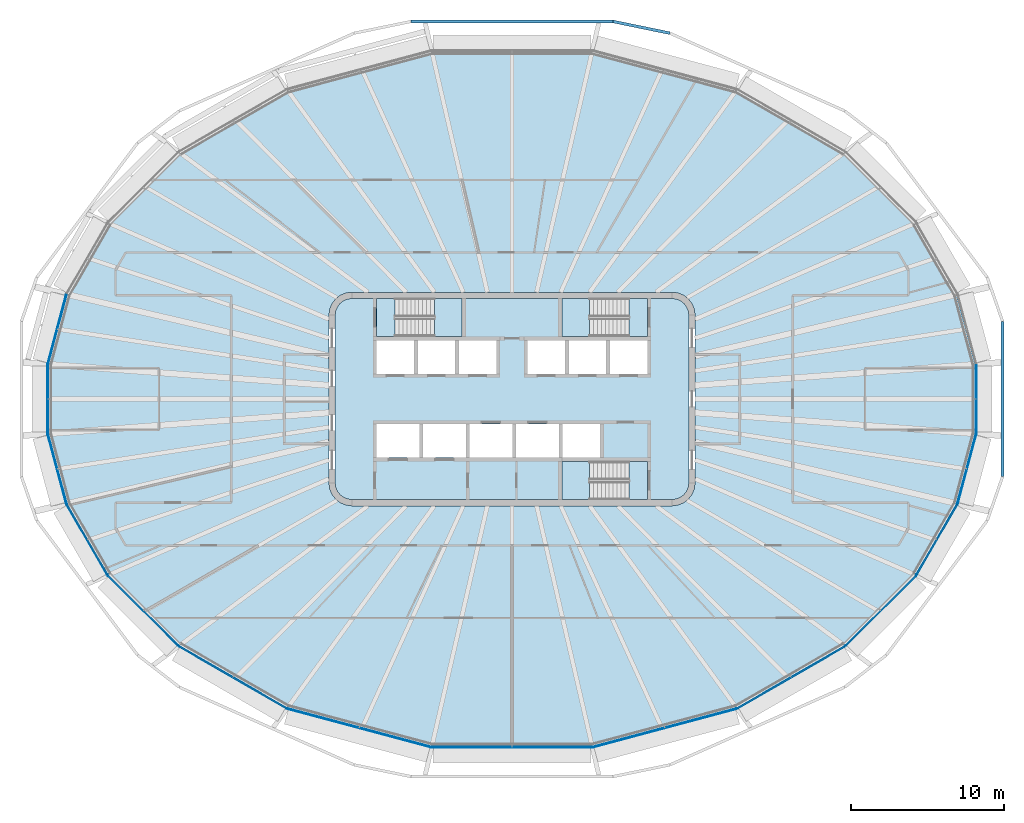
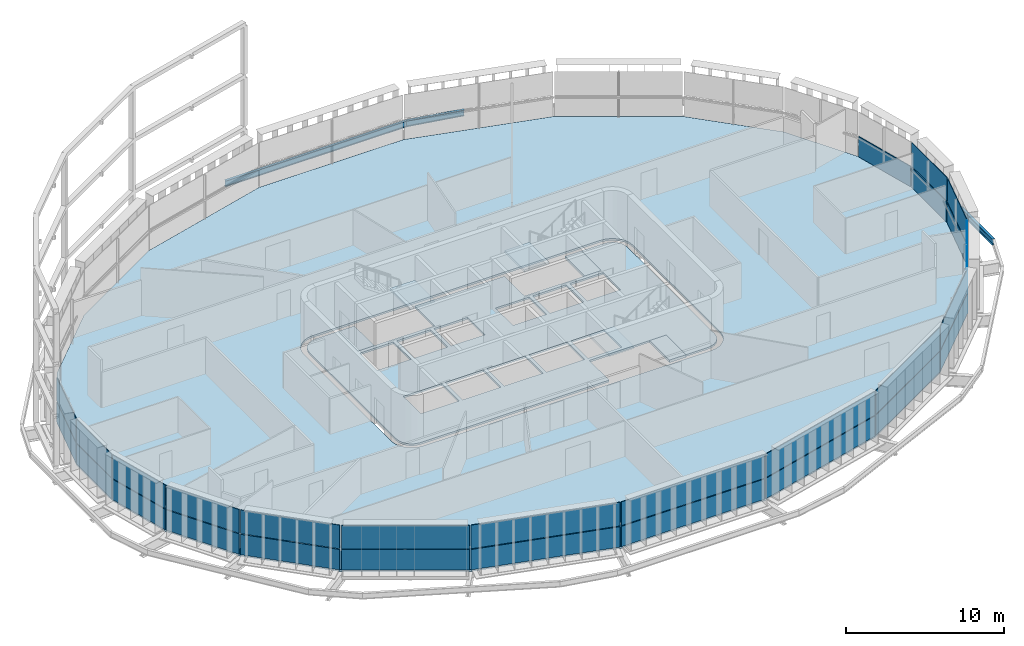
# One storey, part 8 of 20: 29 plates, 8 slabs, 3 beams, 18 elements without a shape of their own.
"""IFC4 building model written with IfcOpenShell, lengths in metres."""

from ifc_helpers import new_model, si_unit, direction, frame, origin, origin_2d, place, context, subcontext, project, spatial, polyline, i_section, outline, extrude, material, layer, layer_set, material_profile, profile_set, type_object, element, aggregate, save


model = new_model("IFC4")

# Units and contexts
model_context = context("Model", 3, precision=1e-05, world=origin(), true_north=direction((0.0, 1.0)))
body_context = subcontext(model_context, "Body", "Model", "MODEL_VIEW")
ifc_project = project(units=[si_unit("LENGTHUNIT", "METRE"), si_unit("AREAUNIT", "SQUARE_METRE"), si_unit("VOLUMEUNIT", "CUBIC_METRE"), si_unit("PLANEANGLEUNIT", "RADIAN"), si_unit("MASSUNIT", "GRAM", prefix="KILO")], contexts=[model_context])

# Site, building, storey
site_placement = place(None, origin())
site = spatial("IfcSite", under=ifc_project, at=site_placement, CompositionType="ELEMENT")
building_placement = place(site_placement, origin())
building = spatial("IfcBuilding", under=site, at=building_placement, Name="Sahrelin Media Tower", CompositionType="ELEMENT")
storey_placement = place(building_placement, frame((0.0, 0.0, 237.60009765625)))
storey = spatial("IfcBuildingStorey", under=building, at=storey_placement, Name="L51", CompositionType="ELEMENT", Elevation=237.60009765625)

# Beams
ifc_material_1 = material(Name="Steel S355", Category="steel")
ifc_material_profile = material_profile(ifc_material_1, i_section(OverallWidth=0.1904296875, OverallDepth=0.45703125, WebThickness=0.009033203125, FlangeThickness=0.014404296875, FilletRadius=0.01025390625, at=origin_2d()), Name="UB 457x191x74")
ifc_profile_set = profile_set([ifc_material_profile], Name="Steel S355")
beam_type = type_object("IfcBeamType", Name="Tie chord TC5", PredefinedType="BEAM", material=ifc_profile_set)
beam_1_placement = place(storey_placement, frame((10.351318359375, 23.985595703125, -0.378662109375), z_axis=(-0.979385944279, 0.201997950853, 0.0), x_axis=(-0.201997950853, -0.979385944279, 0.0)))
element("IfcBeam", 1, at=beam_1_placement, inside=storey, type_object=beam_type, Name="Tie chord L51-05", PredefinedType="BEAM", context=body_context, shape_type="SweptSolid", body=[
    extrude(i_section(OverallWidth=0.1904296875, OverallDepth=0.45703125, WebThickness=0.009033203125, FlangeThickness=0.014404296875, FilletRadius=0.01025390625, at=origin_2d()), origin(), (0.0, 0.0, 1.0), 3.813232421875),
])
beam_2_placement = place(storey_placement, frame((6.61669921875, 24.755859375, -0.378662109375), z_axis=(-1.0, 0.0, 0.0), x_axis=(0.0, -1.0, 0.0)))
element("IfcBeam", 2, at=beam_2_placement, inside=storey, type_object=beam_type, Name="Tie chord L51-06", PredefinedType="BEAM", context=body_context, shape_type="SweptSolid", body=[
    extrude(i_section(OverallWidth=0.1904296875, OverallDepth=0.45703125, WebThickness=0.009033203125, FlangeThickness=0.014404296875, FilletRadius=0.01025390625, at=origin_2d()), origin(), (0.0, 0.0, 1.0), 13.2333984375),
])
beam_3_placement = place(storey_placement, frame((32.1630859375, -5.0927734375, -0.378662109375), z_axis=(0.0, 1.0, 0.0), x_axis=(-1.0, 0.0, 0.0)))
element("IfcBeam", 3, at=beam_3_placement, inside=storey, type_object=beam_type, Name="Tie chord L51-24", PredefinedType="BEAM", context=body_context, shape_type="SweptSolid", body=[
    extrude(i_section(OverallWidth=0.1904296875, OverallDepth=0.45703125, WebThickness=0.009033203125, FlangeThickness=0.014404296875, FilletRadius=0.01025390625, at=origin_2d()), origin(), (0.0, 0.0, 1.0), 10.185546875),
])

# Slabs
ifc_material_2 = material(Name="Concrete C40/50", Category="concrete")
ifc_layer_1 = layer(ifc_material_2, 0.14990234375)
ifc_layer_set_1 = layer_set([ifc_layer_1], Name="Composite floor slab 150")
slab_type_1 = type_object("IfcSlabType", Name="Composite floor slab 150", PredefinedType="FLOOR", material=ifc_layer_set_1)
placement_1 = place(storey_placement, frame((0.0, 0.0, -0.150146484375)))
element("IfcSlab", 4, at=placement_1, inside=storey, type_object=slab_type_1, Name="Floor slab L51", PredefinedType="FLOOR", context=body_context, shape_type="SweptSolid", body=[
    extrude(outline(polyline([(30.429931640625, -2.27197265625), (30.429931640625, 2.27197265625), (29.2001953125, 6.8623046875), (26.495849609375, 11.5458984375), (21.848876953125, 16.19287109375), (14.75439453125, 20.288818359375), (5.270751953125, 22.830078125), (-5.270751953125, 22.830078125), (-14.75439453125, 20.288818359375), (-21.848876953125, 16.19287109375), (-26.495849609375, 11.5458984375), (-29.2001953125, 6.8623046875), (-30.429931640625, 2.27197265625), (-30.429931640625, -2.27197265625), (-29.2001953125, -6.8623046875), (-26.495849609375, -11.5458984375), (-21.848876953125, -16.19287109375), (-14.75439453125, -20.288818359375), (-5.270751953125, -22.830078125), (5.270751953125, -22.830078125), (14.75439453125, -20.288818359375), (21.848876953125, -16.19287109375), (26.495849609375, -11.5458984375), (29.2001953125, -6.8623046875), (30.429931640625, -2.27197265625)]), holes=[polyline([(11.948974609375, 5.88818359375), (12.0, 5.5), (12.0, -5.5), (11.948974609375, -5.88818359375), (11.799072265625, -6.25), (11.560791015625, -6.560791015625), (11.25, -6.799072265625), (10.88818359375, -6.948974609375), (10.5, -7.0), (-10.5, -7.0), (-10.88818359375, -6.948974609375), (-11.25, -6.799072265625), (-11.560791015625, -6.560791015625), (-11.799072265625, -6.25), (-11.948974609375, -5.88818359375), (-12.0, -5.5), (-12.0, 5.5), (-11.948974609375, 5.88818359375), (-11.799072265625, 6.25), (-11.560791015625, 6.560791015625), (-11.25, 6.799072265625), (-10.88818359375, 6.948974609375), (-10.5, 7.0), (10.5, 7.0), (10.88818359375, 6.948974609375), (11.25, 6.799072265625), (11.560791015625, 6.560791015625), (11.799072265625, 6.25), (11.948974609375, 5.88818359375)])]), origin(), (0.0, 0.0, 1.0), 0.150146484375),
])
ifc_layer_2 = layer(ifc_material_2, 0.14990234375)
ifc_layer_set_2 = layer_set([ifc_layer_2], Name="Core floor slab 150")
slab_type_2 = type_object("IfcSlabType", Name="Core floor slab 150", PredefinedType="FLOOR", material=ifc_layer_set_2)
element("IfcSlab", 5, at=placement_1, inside=storey, type_object=slab_type_2, Name="Core floor", PredefinedType="FLOOR", context=body_context, shape_type="SweptSolid", body=[
    extrude(outline(polyline([(-11.60009765625, -5.473876953125), (-11.55908203125, -5.78369140625), (-11.44970703125, -6.04833984375), (-11.275390625, -6.275390625), (-11.04833984375, -6.44970703125), (-10.78369140625, -6.55908203125), (-10.473876953125, -6.60009765625), (3.27490234375, -6.60009765625), (3.27490234375, -4.10009765625), (8.875, -4.10009765625), (8.875, -6.60009765625), (10.473876953125, -6.60009765625), (10.78369140625, -6.55908203125), (11.04833984375, -6.44970703125), (11.275390625, -6.275390625), (11.44970703125, -6.04833984375), (11.55908203125, -5.78369140625), (11.60009765625, -5.473876953125), (11.60009765625, 5.473876953125), (11.55908203125, 5.78369140625), (11.44970703125, 6.04833984375), (11.275390625, 6.275390625), (11.04833984375, 6.44970703125), (10.78369140625, 6.55908203125), (10.473876953125, 6.60009765625), (8.875, 6.60009765625), (8.875, 4.10009765625), (3.27490234375, 4.10009765625), (3.27490234375, 6.60009765625), (-3.27490234375, 6.60009765625), (-3.27490234375, 4.10009765625), (-8.875, 4.10009765625), (-8.875, 6.60009765625), (-10.473876953125, 6.60009765625), (-10.78369140625, 6.55908203125), (-11.04833984375, 6.44970703125), (-11.275390625, 6.275390625), (-11.44970703125, 6.04833984375), (-11.55908203125, 5.78369140625), (-11.60009765625, 5.473876953125), (-11.60009765625, -5.473876953125)]), holes=[polyline([(-8.875, 3.85009765625), (-8.875, 1.64990234375), (-6.425048828125, 1.64990234375), (-6.425048828125, 3.85009765625), (-8.875, 3.85009765625)]), polyline([(-3.72509765625, 3.85009765625), (-6.175048828125, 3.85009765625), (-6.175048828125, 1.64990234375), (-3.72509765625, 1.64990234375), (-3.72509765625, 3.85009765625)]), polyline([(-1.02490234375, 1.64990234375), (-1.02490234375, 3.85009765625), (-3.47509765625, 3.85009765625), (-3.47509765625, 1.64990234375), (-1.02490234375, 1.64990234375)]), polyline([(1.02490234375, 1.64990234375), (3.47509765625, 1.64990234375), (3.47509765625, 3.85009765625), (1.02490234375, 3.85009765625), (1.02490234375, 1.64990234375)]), polyline([(3.72509765625, 3.85009765625), (3.72509765625, 1.64990234375), (6.175048828125, 1.64990234375), (6.175048828125, 3.85009765625), (3.72509765625, 3.85009765625)]), polyline([(8.875, 3.85009765625), (6.425048828125, 3.85009765625), (6.425048828125, 1.64990234375), (8.875, 1.64990234375), (8.875, 3.85009765625)]), polyline([(-6.074951171875, -3.85009765625), (-6.074951171875, -1.64990234375), (-8.875, -1.64990234375), (-8.875, -3.85009765625), (-6.074951171875, -3.85009765625)]), polyline([(-5.824951171875, -3.85009765625), (-3.02490234375, -3.85009765625), (-3.02490234375, -1.64990234375), (-5.824951171875, -1.64990234375), (-5.824951171875, -3.85009765625)]), polyline([(-2.77490234375, -1.64990234375), (-2.77490234375, -3.85009765625), (0.02490234375, -3.85009765625), (0.02490234375, -1.64990234375), (-2.77490234375, -1.64990234375)]), polyline([(3.074951171875, -1.64990234375), (0.27490234375, -1.64990234375), (0.27490234375, -3.85009765625), (3.074951171875, -3.85009765625), (3.074951171875, -1.64990234375)]), polyline([(5.77490234375, -3.85009765625), (5.77490234375, -1.64990234375), (3.324951171875, -1.64990234375), (3.324951171875, -3.85009765625), (5.77490234375, -3.85009765625)])]), origin(), (0.0, 0.0, 1.0), 0.150146484375),
])

# Curtain wall, plate
ifc_material_3 = material(Name="Champagne anodised aluminium 6063-T6", Category="aluminium")
ifc_layer_3 = layer(ifc_material_3, 0.14990234375)
ifc_layer_set_3 = layer_set([ifc_layer_3], Name="Tower ribbon curtain wall")
curtain_wall_type = type_object("IfcCurtainWallType", Name="Tower ribbon curtain wall", PredefinedType="NOTDEFINED", material=ifc_layer_set_3)
curtain_wall_1_placement = place(storey_placement, frame((30.449951171875, 0.0, 0.0), z_axis=(0.0, 0.0, 1.0), x_axis=(1.0, 0.0, 0.0)))
curtain_wall_1 = element("IfcCurtainWall", 6, at=curtain_wall_1_placement, inside=storey, type_object=curtain_wall_type, Name="L51:CW:L51-00", PredefinedType="NOTDEFINED")
ifc_material_4 = material(Name="Clear low-iron glazing", Category="glass")
ifc_layer_4 = layer(ifc_material_4, 0.0439453125)
ifc_layer_set_4 = layer_set([ifc_layer_4], Name="Glazing panel 44 mm CW1B")
plate_type_1 = type_object("IfcPlateType", Name="Glazing panel 44 mm CW1B", PredefinedType="CURTAIN_PANEL", material=ifc_layer_set_4)
plate_1_placement = place(storey_placement, frame((30.469970703125, -2.224609375, 1.6298828125), z_axis=(1.0, 0.0, 0.0), x_axis=(0.0, 1.0, 0.0)))
plate_1 = element("IfcPlate", 7, at=plate_1_placement, type_object=plate_type_1, Name="L51:CWP2:L51-00", PredefinedType="CURTAIN_PANEL", context=body_context, shape_type="SweptSolid", body=[
    extrude(outline(polyline([(0.0, 0.0), (4.44921875, 0.0), (4.44921875, 1.818603515625), (0.0, 1.818603515625), (0.0, 0.0)])), origin(), (0.0, 0.0, -1.0), 0.0439453125),
])

curtain_wall_2_placement = place(storey_placement, frame((-29.83447265625, 4.572265625, 0.0), z_axis=(0.0, 0.0, 1.0), x_axis=(1.0, 0.0, 0.0)))
curtain_wall_2 = element("IfcCurtainWall", 8, at=curtain_wall_2_placement, inside=storey, type_object=curtain_wall_type, Name="L51:CW:L51-11", PredefinedType="NOTDEFINED")
plate_2_placement = place(storey_placement, frame((-29.2509765625, 6.826904296875, 1.6298828125), z_axis=(-0.965935885882, 0.258781499273, 0.0), x_axis=(-0.258781499273, -0.965935885882, 0.0)))
plate_2 = element("IfcPlate", 9, at=plate_2_placement, type_object=plate_type_1, Name="L51:CWP2:L51-11", PredefinedType="CURTAIN_PANEL", context=body_context, shape_type="SweptSolid", body=[
    extrude(outline(polyline([(0.0, 0.0), (4.65771484375, 0.0), (4.65771484375, 1.818603515625), (0.0, 1.818603515625), (0.0, 0.0)])), origin(), (0.0, 0.0, -1.0), 0.0439453125),
])

curtain_wall_3_placement = place(storey_placement, frame((-30.449951171875, 0.0, 0.0), z_axis=(0.0, 0.0, 1.0), x_axis=(1.0, 0.0, 0.0)))
curtain_wall_3 = element("IfcCurtainWall", 10, at=curtain_wall_3_placement, inside=storey, type_object=curtain_wall_type, Name="L51:CW:L51-12", PredefinedType="NOTDEFINED")
plate_3_placement = place(storey_placement, frame((-30.469970703125, 2.224609375, 1.6298828125), z_axis=(-1.0, 0.0, 0.0), x_axis=(0.0, -1.0, 0.0)))
plate_3 = element("IfcPlate", 11, at=plate_3_placement, type_object=plate_type_1, Name="L51:CWP2:L51-12", PredefinedType="CURTAIN_PANEL", context=body_context, shape_type="SweptSolid", body=[
    extrude(outline(polyline([(0.0, 0.0), (4.44921875, 0.0), (4.44921875, 1.818603515625), (0.0, 1.818603515625), (0.0, 0.0)])), origin(), (0.0, 0.0, -1.0), 0.0439453125),
])

curtain_wall_4_placement = place(storey_placement, frame((-29.834228515625, -4.572265625, 0.0), z_axis=(0.0, 0.0, 1.0), x_axis=(1.0, 0.0, 0.0)))
curtain_wall_4 = element("IfcCurtainWall", 12, at=curtain_wall_4_placement, inside=storey, type_object=curtain_wall_type, Name="L51:CW:L51-13", PredefinedType="NOTDEFINED")
plate_4_placement = place(storey_placement, frame((-30.456298828125, -2.327880859375, 1.6298828125), z_axis=(-0.965935885882, -0.258781499273, 0.0), x_axis=(0.258781499273, -0.965935885882, 0.0)))
plate_4 = element("IfcPlate", 13, at=plate_4_placement, type_object=plate_type_1, Name="L51:CWP2:L51-13", PredefinedType="CURTAIN_PANEL", context=body_context, shape_type="SweptSolid", body=[
    extrude(outline(polyline([(0.0, 0.0), (4.65771484375, 0.0), (4.65771484375, 1.818603515625), (0.0, 1.818603515625), (0.0, 0.0)])), origin(), (0.0, 0.0, -1.0), 0.0439453125),
])

curtain_wall_5_placement = place(storey_placement, frame((-27.865234375, -9.214111328125, 0.0), z_axis=(0.0, 0.0, 1.0), x_axis=(1.0, 0.0, 0.0)))
curtain_wall_5 = element("IfcCurtainWall", 14, at=curtain_wall_5_placement, inside=storey, type_object=curtain_wall_type, Name="L51:CW:L51-14", PredefinedType="NOTDEFINED")
plate_5_placement = place(storey_placement, frame((-29.2109375, -6.923095703125, 1.6298828125), z_axis=(-0.866034858292, -0.499983623955, 0.0), x_axis=(0.499983623955, -0.866034858292, 0.0)))
plate_5 = element("IfcPlate", 15, at=plate_5_placement, type_object=plate_type_1, Name="L51:CWP2:L51-14", PredefinedType="CURTAIN_PANEL", context=body_context, shape_type="SweptSolid", body=[
    extrude(outline(polyline([(0.0, 0.0), (5.313720703125, 0.0), (5.313720703125, 1.818603515625), (0.0, 1.818603515625), (0.0, 0.0)])), origin(), (0.0, 0.0, -1.0), 0.0439453125),
])

curtain_wall_6_placement = place(storey_placement, frame((-24.1865234375, -13.88330078125, 0.0), z_axis=(0.0, 0.0, 1.0), x_axis=(1.0, 0.0, 0.0)))
curtain_wall_6 = element("IfcCurtainWall", 16, at=curtain_wall_6_placement, inside=storey, type_object=curtain_wall_type, Name="L51:CW:L51-15", PredefinedType="NOTDEFINED")
plate_6_placement = place(storey_placement, frame((-26.49072265625, -11.607666015625, 1.6298828125), z_axis=(-0.707087934304, -0.707125627567, 0.0), x_axis=(0.707125627567, -0.707087934304, 0.0)))
plate_6 = element("IfcPlate", 17, at=plate_6_placement, type_object=plate_type_1, Name="L51:CWP2:L51-15", PredefinedType="CURTAIN_PANEL", context=body_context, shape_type="SweptSolid", body=[
    extrude(outline(polyline([(0.0, 0.0), (6.47705078125, 0.0), (6.47705078125, 1.818603515625), (0.0, 1.818603515625), (0.0, 0.0)])), origin(), (0.0, 0.0, -1.0), 0.0439453125),
])

curtain_wall_7_placement = place(storey_placement, frame((-18.3115234375, -18.25830078125, 0.0), z_axis=(0.0, 0.0, 1.0), x_axis=(1.0, 0.0, 0.0)))
curtain_wall_7 = element("IfcCurtainWall", 18, at=curtain_wall_7_placement, inside=storey, type_object=curtain_wall_type, Name="L51:CW:L51-16", PredefinedType="NOTDEFINED")
plate_7_placement = place(storey_placement, frame((-21.827880859375, -16.251220703125, 1.6298828125), z_axis=(-0.499981703231, -0.866035967171, 0.0), x_axis=(0.866035967171, -0.499981703231, 0.0)))
plate_7 = element("IfcPlate", 19, at=plate_7_placement, type_object=plate_type_1, Name="L51:CWP2:L51-16", PredefinedType="CURTAIN_PANEL", context=body_context, shape_type="SweptSolid", body=[
    extrude(outline(polyline([(0.0, 0.0), (8.097412109375, 0.0), (8.097412109375, 1.818603515625), (0.0, 1.818603515625), (0.0, 0.0)])), origin(), (0.0, 0.0, -1.0), 0.0439453125),
])

curtain_wall_8_placement = place(storey_placement, frame((-10.017578125, -21.578857421875, 0.0), z_axis=(0.0, 0.0, 1.0), x_axis=(1.0, 0.0, 0.0)))
curtain_wall_8 = element("IfcCurtainWall", 20, at=curtain_wall_8_placement, inside=storey, type_object=curtain_wall_type, Name="L51:CW:L51-17", PredefinedType="NOTDEFINED")
plate_8_placement = place(storey_placement, frame((-14.718994140625, -20.33984375, 1.6298828125), z_axis=(-0.25881891783, -0.965925860392, 0.0), x_axis=(0.965925860392, -0.25881891783, 0.0)))
plate_8 = element("IfcPlate", 21, at=plate_8_placement, type_object=plate_type_1, Name="L51:CWP2:L51-17", PredefinedType="CURTAIN_PANEL", context=body_context, shape_type="SweptSolid", body=[
    extrude(outline(polyline([(0.0, 0.0), (9.723388671875, 0.0), (9.723388671875, 1.818603515625), (0.0, 1.818603515625), (0.0, 0.0)])), origin(), (0.0, 0.0, -1.0), 0.0439453125),
])

curtain_wall_9_placement = place(storey_placement, frame((0.0, -22.85009765625, 0.0), z_axis=(0.0, 0.0, 1.0), x_axis=(1.0, 0.0, 0.0)))
curtain_wall_9 = element("IfcCurtainWall", 22, at=curtain_wall_9_placement, inside=storey, type_object=curtain_wall_type, Name="L51:CW:L51-18", PredefinedType="NOTDEFINED")
plate_9_placement = place(storey_placement, frame((-5.223388671875, -22.8701171875, 1.6298828125), z_axis=(0.0, -1.0, 0.0), x_axis=(1.0, 0.0, 0.0)))
plate_9 = element("IfcPlate", 23, at=plate_9_placement, type_object=plate_type_1, Name="L51:CWP2:L51-18", PredefinedType="CURTAIN_PANEL", context=body_context, shape_type="SweptSolid", body=[
    extrude(outline(polyline([(0.0, 0.0), (10.44677734375, 0.0), (10.44677734375, 1.818603515625), (0.0, 1.818603515625), (0.0, 0.0)])), origin(), (0.0, 0.0, -1.0), 0.0439453125),
])

curtain_wall_10_placement = place(storey_placement, frame((10.017578125, -21.57861328125, 0.0), z_axis=(0.0, 0.0, 1.0), x_axis=(1.0, 0.0, 0.0)))
curtain_wall_10 = element("IfcCurtainWall", 24, at=curtain_wall_10_placement, inside=storey, type_object=curtain_wall_type, Name="L51:CW:L51-19", PredefinedType="NOTDEFINED")
plate_10_placement = place(storey_placement, frame((5.326904296875, -22.8564453125, 1.6298828125), z_axis=(0.25881891783, -0.965925860392, 0.0), x_axis=(0.965925860392, 0.25881891783, 0.0)))
plate_10 = element("IfcPlate", 25, at=plate_10_placement, type_object=plate_type_1, Name="L51:CWP2:L51-19", PredefinedType="CURTAIN_PANEL", context=body_context, shape_type="SweptSolid", body=[
    extrude(outline(polyline([(0.0, 0.0), (9.723388671875, 0.0), (9.723388671875, 1.818603515625), (0.0, 1.818603515625), (0.0, 0.0)])), origin(), (0.0, 0.0, -1.0), 0.0439453125),
])

curtain_wall_11_placement = place(storey_placement, frame((18.3115234375, -18.258056640625, 0.0), z_axis=(0.0, 0.0, 1.0), x_axis=(1.0, 0.0, 0.0)))
curtain_wall_11 = element("IfcCurtainWall", 26, at=curtain_wall_11_placement, inside=storey, type_object=curtain_wall_type, Name="L51:CW:L51-20", PredefinedType="NOTDEFINED")
plate_11_placement = place(storey_placement, frame((14.815185546875, -20.2998046875, 1.6298828125), z_axis=(0.499981703231, -0.866035967171, 0.0), x_axis=(0.866035967171, 0.499981703231, 0.0)))
plate_11 = element("IfcPlate", 27, at=plate_11_placement, type_object=plate_type_1, Name="L51:CWP2:L51-20", PredefinedType="CURTAIN_PANEL", context=body_context, shape_type="SweptSolid", body=[
    extrude(outline(polyline([(0.0, 0.0), (8.097412109375, 0.0), (8.097412109375, 1.818603515625), (0.0, 1.818603515625), (0.0, 0.0)])), origin(), (0.0, 0.0, -1.0), 0.0439453125),
])

curtain_wall_12_placement = place(storey_placement, frame((24.1865234375, -13.883544921875, 0.0), z_axis=(0.0, 0.0, 1.0), x_axis=(1.0, 0.0, 0.0)))
curtain_wall_12 = element("IfcCurtainWall", 28, at=curtain_wall_12_placement, inside=storey, type_object=curtain_wall_type, Name="L51:CW:L51-21", PredefinedType="NOTDEFINED")
plate_12_placement = place(storey_placement, frame((21.91064453125, -16.1875, 1.6298828125), z_axis=(0.707087934304, -0.707125627567, 0.0), x_axis=(0.707125627567, 0.707087934304, 0.0)))
plate_12 = element("IfcPlate", 29, at=plate_12_placement, type_object=plate_type_1, Name="L51:CWP2:L51-21", PredefinedType="CURTAIN_PANEL", context=body_context, shape_type="SweptSolid", body=[
    extrude(outline(polyline([(0.0, 0.0), (6.47705078125, 0.0), (6.47705078125, 1.818603515625), (0.0, 1.818603515625), (0.0, 0.0)])), origin(), (0.0, 0.0, -1.0), 0.0439453125),
])

curtain_wall_13_placement = place(storey_placement, frame((27.865234375, -9.214111328125, 0.0), z_axis=(0.0, 0.0, 1.0), x_axis=(1.0, 0.0, 0.0)))
curtain_wall_13 = element("IfcCurtainWall", 30, at=curtain_wall_13_placement, inside=storey, type_object=curtain_wall_type, Name="L51:CW:L51-22", PredefinedType="NOTDEFINED")
plate_13_placement = place(storey_placement, frame((26.55419921875, -11.52490234375, 1.6298828125), z_axis=(0.866034858292, -0.499983623955, 0.0), x_axis=(0.499983623955, 0.866034858292, 0.0)))
plate_13 = element("IfcPlate", 31, at=plate_13_placement, type_object=plate_type_1, Name="L51:CWP2:L51-22", PredefinedType="CURTAIN_PANEL", context=body_context, shape_type="SweptSolid", body=[
    extrude(outline(polyline([(0.0, 0.0), (5.313720703125, 0.0), (5.313720703125, 1.818603515625), (0.0, 1.818603515625), (0.0, 0.0)])), origin(), (0.0, 0.0, -1.0), 0.0439453125),
])

curtain_wall_14_placement = place(storey_placement, frame((29.83447265625, -4.572265625, 0.0), z_axis=(0.0, 0.0, 1.0), x_axis=(1.0, 0.0, 0.0)))
curtain_wall_14 = element("IfcCurtainWall", 32, at=curtain_wall_14_placement, inside=storey, type_object=curtain_wall_type, Name="L51:CW:L51-23", PredefinedType="NOTDEFINED")
plate_14_placement = place(storey_placement, frame((29.2509765625, -6.826904296875, 1.6298828125), z_axis=(0.965935885882, -0.258781499273, 0.0), x_axis=(0.258781499273, 0.965935885882, 0.0)))
plate_14 = element("IfcPlate", 33, at=plate_14_placement, type_object=plate_type_1, Name="L51:CWP2:L51-23", PredefinedType="CURTAIN_PANEL", context=body_context, shape_type="SweptSolid", body=[
    extrude(outline(polyline([(0.0, 0.0), (4.65771484375, 0.0), (4.65771484375, 1.818603515625), (0.0, 1.818603515625), (0.0, 0.0)])), origin(), (0.0, 0.0, -1.0), 0.0439453125),
])

# Plate
ifc_material_5 = material(Name="Insulated spandrel panel")
ifc_layer_5 = layer(ifc_material_5, 0.06005859375)
ifc_layer_set_5 = layer_set([ifc_layer_5], Name="Spandrel panel 60 mm CW1")
plate_type_2 = type_object("IfcPlateType", Name="Spandrel panel 60 mm CW1", PredefinedType="SHEET", material=ifc_layer_set_5)
plate_15_placement = place(storey_placement, frame((30.469970703125, -2.224609375, 0.0), z_axis=(1.0, 0.0, 0.0), x_axis=(0.0, 1.0, 0.0)))
plate_15 = element("IfcPlate", 34, at=plate_15_placement, type_object=plate_type_2, Name="L51:CWP1:L51-00", PredefinedType="SHEET", context=body_context, shape_type="SweptSolid", body=[
    extrude(outline(polyline([(0.0, 0.0), (4.44921875, 0.0), (4.44921875, 1.56982421875), (0.0, 1.56982421875), (0.0, 0.0)])), origin(), (0.0, 0.0, -1.0), 0.06005859375),
])

aggregate(curtain_wall_1, [plate_15, plate_1])

# Curtain wall, plate
curtain_wall_15_placement = place(storey_placement, frame((29.834228515625, 4.572265625, 0.0), z_axis=(0.0, 0.0, 1.0), x_axis=(1.0, 0.0, 0.0)))
curtain_wall_15 = element("IfcCurtainWall", 35, at=curtain_wall_15_placement, inside=storey, type_object=curtain_wall_type, Name="L51:CW:L51-01", PredefinedType="NOTDEFINED")
plate_16_placement = place(storey_placement, frame((30.456298828125, 2.327880859375, 0.0), z_axis=(0.965935885882, 0.258781499273, 0.0), x_axis=(-0.258781499273, 0.965935885882, 0.0)))
plate_16 = element("IfcPlate", 36, at=plate_16_placement, type_object=plate_type_2, Name="L51:CWP1:L51-01", PredefinedType="SHEET", context=body_context, shape_type="SweptSolid", body=[
    extrude(outline(polyline([(0.0, 0.0), (4.65771484375, 0.0), (4.65771484375, 1.56982421875), (0.0, 1.56982421875), (0.0, 0.0)])), origin(), (0.0, 0.0, -1.0), 0.06005859375),
])
aggregate(curtain_wall_15, [plate_16])

# Plate
plate_17_placement = place(storey_placement, frame((-29.2509765625, 6.826904296875, 0.0), z_axis=(-0.965935885882, 0.258781499273, 0.0), x_axis=(-0.258781499273, -0.965935885882, 0.0)))
plate_17 = element("IfcPlate", 37, at=plate_17_placement, type_object=plate_type_2, Name="L51:CWP1:L51-11", PredefinedType="SHEET", context=body_context, shape_type="SweptSolid", body=[
    extrude(outline(polyline([(0.0, 0.0), (4.65771484375, 0.0), (4.65771484375, 1.56982421875), (0.0, 1.56982421875), (0.0, 0.0)])), origin(), (0.0, 0.0, -1.0), 0.06005859375),
])

aggregate(curtain_wall_2, [plate_17, plate_2])

plate_18_placement = place(storey_placement, frame((-30.469970703125, 2.224609375, 0.0), z_axis=(-1.0, 0.0, 0.0), x_axis=(0.0, -1.0, 0.0)))
plate_18 = element("IfcPlate", 38, at=plate_18_placement, type_object=plate_type_2, Name="L51:CWP1:L51-12", PredefinedType="SHEET", context=body_context, shape_type="SweptSolid", body=[
    extrude(outline(polyline([(0.0, 0.0), (4.44921875, 0.0), (4.44921875, 1.56982421875), (0.0, 1.56982421875), (0.0, 0.0)])), origin(), (0.0, 0.0, -1.0), 0.06005859375),
])

aggregate(curtain_wall_3, [plate_18, plate_3])

plate_19_placement = place(storey_placement, frame((-30.456298828125, -2.327880859375, 0.0), z_axis=(-0.965935885882, -0.258781499273, 0.0), x_axis=(0.258781499273, -0.965935885882, 0.0)))
plate_19 = element("IfcPlate", 39, at=plate_19_placement, type_object=plate_type_2, Name="L51:CWP1:L51-13", PredefinedType="SHEET", context=body_context, shape_type="SweptSolid", body=[
    extrude(outline(polyline([(0.0, 0.0), (4.65771484375, 0.0), (4.65771484375, 1.56982421875), (0.0, 1.56982421875), (0.0, 0.0)])), origin(), (0.0, 0.0, -1.0), 0.06005859375),
])

aggregate(curtain_wall_4, [plate_19, plate_4])

plate_20_placement = place(storey_placement, frame((-29.2109375, -6.923095703125, 0.0), z_axis=(-0.866034858292, -0.499983623955, 0.0), x_axis=(0.499983623955, -0.866034858292, 0.0)))
plate_20 = element("IfcPlate", 40, at=plate_20_placement, type_object=plate_type_2, Name="L51:CWP1:L51-14", PredefinedType="SHEET", context=body_context, shape_type="SweptSolid", body=[
    extrude(outline(polyline([(0.0, 0.0), (5.313720703125, 0.0), (5.313720703125, 1.56982421875), (0.0, 1.56982421875), (0.0, 0.0)])), origin(), (0.0, 0.0, -1.0), 0.06005859375),
])

aggregate(curtain_wall_5, [plate_20, plate_5])

plate_21_placement = place(storey_placement, frame((-26.49072265625, -11.607666015625, 0.0), z_axis=(-0.707087934304, -0.707125627567, 0.0), x_axis=(0.707125627567, -0.707087934304, 0.0)))
plate_21 = element("IfcPlate", 41, at=plate_21_placement, type_object=plate_type_2, Name="L51:CWP1:L51-15", PredefinedType="SHEET", context=body_context, shape_type="SweptSolid", body=[
    extrude(outline(polyline([(0.0, 0.0), (6.47705078125, 0.0), (6.47705078125, 1.56982421875), (0.0, 1.56982421875), (0.0, 0.0)])), origin(), (0.0, 0.0, -1.0), 0.06005859375),
])

aggregate(curtain_wall_6, [plate_21, plate_6])

plate_22_placement = place(storey_placement, frame((-21.827880859375, -16.251220703125, 0.0), z_axis=(-0.499981703231, -0.866035967171, 0.0), x_axis=(0.866035967171, -0.499981703231, 0.0)))
plate_22 = element("IfcPlate", 42, at=plate_22_placement, type_object=plate_type_2, Name="L51:CWP1:L51-16", PredefinedType="SHEET", context=body_context, shape_type="SweptSolid", body=[
    extrude(outline(polyline([(0.0, 0.0), (8.097412109375, 0.0), (8.097412109375, 1.56982421875), (0.0, 1.56982421875), (0.0, 0.0)])), origin(), (0.0, 0.0, -1.0), 0.06005859375),
])

aggregate(curtain_wall_7, [plate_22, plate_7])

plate_23_placement = place(storey_placement, frame((-14.718994140625, -20.33984375, 0.0), z_axis=(-0.25881891783, -0.965925860392, 0.0), x_axis=(0.965925860392, -0.25881891783, 0.0)))
plate_23 = element("IfcPlate", 43, at=plate_23_placement, type_object=plate_type_2, Name="L51:CWP1:L51-17", PredefinedType="SHEET", context=body_context, shape_type="SweptSolid", body=[
    extrude(outline(polyline([(0.0, 0.0), (9.723388671875, 0.0), (9.723388671875, 1.56982421875), (0.0, 1.56982421875), (0.0, 0.0)])), origin(), (0.0, 0.0, -1.0), 0.06005859375),
])

aggregate(curtain_wall_8, [plate_23, plate_8])

plate_24_placement = place(storey_placement, frame((-5.223388671875, -22.8701171875, 0.0), z_axis=(0.0, -1.0, 0.0), x_axis=(1.0, 0.0, 0.0)))
plate_24 = element("IfcPlate", 44, at=plate_24_placement, type_object=plate_type_2, Name="L51:CWP1:L51-18", PredefinedType="SHEET", context=body_context, shape_type="SweptSolid", body=[
    extrude(outline(polyline([(0.0, 0.0), (10.44677734375, 0.0), (10.44677734375, 1.56982421875), (0.0, 1.56982421875), (0.0, 0.0)])), origin(), (0.0, 0.0, -1.0), 0.06005859375),
])

aggregate(curtain_wall_9, [plate_24, plate_9])

plate_25_placement = place(storey_placement, frame((5.326904296875, -22.8564453125, 0.0), z_axis=(0.25881891783, -0.965925860392, 0.0), x_axis=(0.965925860392, 0.25881891783, 0.0)))
plate_25 = element("IfcPlate", 45, at=plate_25_placement, type_object=plate_type_2, Name="L51:CWP1:L51-19", PredefinedType="SHEET", context=body_context, shape_type="SweptSolid", body=[
    extrude(outline(polyline([(0.0, 0.0), (9.723388671875, 0.0), (9.723388671875, 1.56982421875), (0.0, 1.56982421875), (0.0, 0.0)])), origin(), (0.0, 0.0, -1.0), 0.06005859375),
])

aggregate(curtain_wall_10, [plate_25, plate_10])

plate_26_placement = place(storey_placement, frame((14.815185546875, -20.2998046875, 0.0), z_axis=(0.499981703231, -0.866035967171, 0.0), x_axis=(0.866035967171, 0.499981703231, 0.0)))
plate_26 = element("IfcPlate", 46, at=plate_26_placement, type_object=plate_type_2, Name="L51:CWP1:L51-20", PredefinedType="SHEET", context=body_context, shape_type="SweptSolid", body=[
    extrude(outline(polyline([(0.0, 0.0), (8.097412109375, 0.0), (8.097412109375, 1.56982421875), (0.0, 1.56982421875), (0.0, 0.0)])), origin(), (0.0, 0.0, -1.0), 0.06005859375),
])

aggregate(curtain_wall_11, [plate_26, plate_11])

plate_27_placement = place(storey_placement, frame((21.91064453125, -16.1875, 0.0), z_axis=(0.707087934304, -0.707125627567, 0.0), x_axis=(0.707125627567, 0.707087934304, 0.0)))
plate_27 = element("IfcPlate", 47, at=plate_27_placement, type_object=plate_type_2, Name="L51:CWP1:L51-21", PredefinedType="SHEET", context=body_context, shape_type="SweptSolid", body=[
    extrude(outline(polyline([(0.0, 0.0), (6.47705078125, 0.0), (6.47705078125, 1.56982421875), (0.0, 1.56982421875), (0.0, 0.0)])), origin(), (0.0, 0.0, -1.0), 0.06005859375),
])

aggregate(curtain_wall_12, [plate_27, plate_12])

plate_28_placement = place(storey_placement, frame((26.55419921875, -11.52490234375, 0.0), z_axis=(0.866034858292, -0.499983623955, 0.0), x_axis=(0.499983623955, 0.866034858292, 0.0)))
plate_28 = element("IfcPlate", 48, at=plate_28_placement, type_object=plate_type_2, Name="L51:CWP1:L51-22", PredefinedType="SHEET", context=body_context, shape_type="SweptSolid", body=[
    extrude(outline(polyline([(0.0, 0.0), (5.313720703125, 0.0), (5.313720703125, 1.56982421875), (0.0, 1.56982421875), (0.0, 0.0)])), origin(), (0.0, 0.0, -1.0), 0.06005859375),
])

aggregate(curtain_wall_13, [plate_28, plate_13])

plate_29_placement = place(storey_placement, frame((29.2509765625, -6.826904296875, 0.0), z_axis=(0.965935885882, -0.258781499273, 0.0), x_axis=(0.258781499273, 0.965935885882, 0.0)))
plate_29 = element("IfcPlate", 49, at=plate_29_placement, type_object=plate_type_2, Name="L51:CWP1:L51-23", PredefinedType="SHEET", context=body_context, shape_type="SweptSolid", body=[
    extrude(outline(polyline([(0.0, 0.0), (4.65771484375, 0.0), (4.65771484375, 1.56982421875), (0.0, 1.56982421875), (0.0, 0.0)])), origin(), (0.0, 0.0, -1.0), 0.06005859375),
])

aggregate(curtain_wall_14, [plate_29, plate_14])

# Stair, slabs
stair_type = type_object("IfcStairType", Name="Exit stair 1200", PredefinedType="HALF_TURN_STAIR", material=ifc_material_2)
placement_2 = place(storey_placement, origin())
stair_1 = element("IfcStair", 50, at=placement_2, inside=storey, type_object=stair_type, Name="L51 Exit stair ST1", PredefinedType="HALF_TURN_STAIR")
ifc_layer_6 = layer(ifc_material_2, 0.199951171875)
ifc_layer_set_6 = layer_set([ifc_layer_6], Name="Stair landing 200")
slab_type_3 = type_object("IfcSlabType", Name="Stair landing 200", PredefinedType="LANDING", material=ifc_layer_set_6)
placement_3 = place(storey_placement, frame((0.0, 0.0, 1.7998046875)))
slab_3 = element("IfcSlab", 51, at=placement_3, type_object=slab_type_3, Name="ST1 landing 1", PredefinedType="LANDING", context=body_context, shape_type="SweptSolid", body=[
    extrude(outline(polyline([(-5.074951171875, 4.10009765625), (-3.27490234375, 4.10009765625), (-3.27490234375, 6.60009765625), (-5.074951171875, 6.60009765625), (-5.074951171875, 4.10009765625)])), origin(), (0.0, 0.0, 1.0), 0.2001953125),
])
placement_4 = place(storey_placement, frame((0.0, 0.0, -0.2001953125)))
slab_4 = element("IfcSlab", 52, at=placement_4, type_object=slab_type_3, Name="ST1 landing 2", PredefinedType="LANDING", context=body_context, shape_type="SweptSolid", body=[
    extrude(outline(polyline([(-8.875, 4.10009765625), (-7.675048828125, 4.10009765625), (-7.675048828125, 6.60009765625), (-8.875, 6.60009765625), (-8.875, 4.10009765625)])), origin(), (0.0, 0.0, 1.0), 0.2001953125),
])
aggregate(stair_1, [slab_3, slab_4])

stair_2 = element("IfcStair", 53, at=placement_2, inside=storey, type_object=stair_type, Name="L51 Exit stair ST3", PredefinedType="HALF_TURN_STAIR")
slab_5 = element("IfcSlab", 54, at=placement_3, type_object=slab_type_3, Name="ST3 landing 1", PredefinedType="LANDING", context=body_context, shape_type="SweptSolid", body=[
    extrude(outline(polyline([(5.074951171875, 6.60009765625), (3.27490234375, 6.60009765625), (3.27490234375, 4.10009765625), (5.074951171875, 4.10009765625), (5.074951171875, 6.60009765625)])), origin(), (0.0, 0.0, 1.0), 0.2001953125),
])
slab_6 = element("IfcSlab", 55, at=placement_4, type_object=slab_type_3, Name="ST3 landing 2", PredefinedType="LANDING", context=body_context, shape_type="SweptSolid", body=[
    extrude(outline(polyline([(8.875, 6.60009765625), (7.675048828125, 6.60009765625), (7.675048828125, 4.10009765625), (8.875, 4.10009765625), (8.875, 6.60009765625)])), origin(), (0.0, 0.0, 1.0), 0.2001953125),
])
aggregate(stair_2, [slab_5, slab_6])

stair_3 = element("IfcStair", 56, at=placement_2, inside=storey, type_object=stair_type, Name="L51 Exit stair ST2", PredefinedType="HALF_TURN_STAIR")
slab_7 = element("IfcSlab", 57, at=placement_3, type_object=slab_type_3, Name="ST2 landing 1", PredefinedType="LANDING", context=body_context, shape_type="SweptSolid", body=[
    extrude(outline(polyline([(5.074951171875, -4.10009765625), (3.27490234375, -4.10009765625), (3.27490234375, -6.60009765625), (5.074951171875, -6.60009765625), (5.074951171875, -4.10009765625)])), origin(), (0.0, 0.0, 1.0), 0.2001953125),
])
slab_8 = element("IfcSlab", 58, at=placement_4, type_object=slab_type_3, Name="ST2 landing 2", PredefinedType="LANDING", context=body_context, shape_type="SweptSolid", body=[
    extrude(outline(polyline([(8.875, -4.10009765625), (7.675048828125, -4.10009765625), (7.675048828125, -6.60009765625), (8.875, -6.60009765625), (8.875, -4.10009765625)])), origin(), (0.0, 0.0, 1.0), 0.2001953125),
])
aggregate(stair_3, [slab_7, slab_8])

save(model, "model.ifc")
